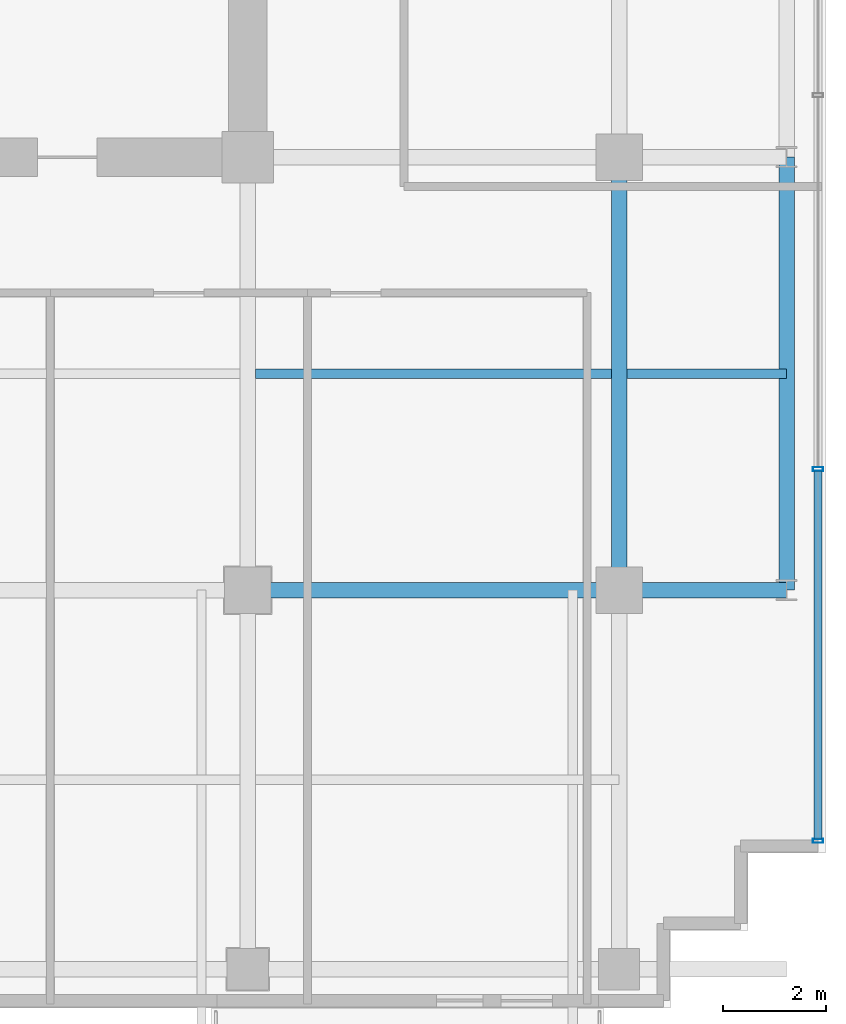
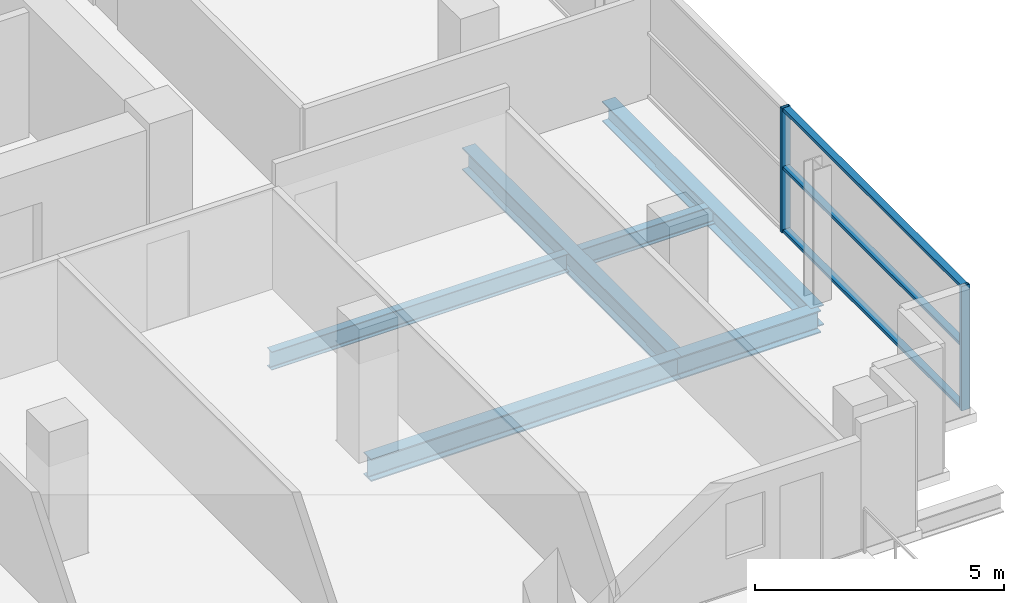
# One storey, part 12 of 28: 6 beams, 5 members, 1 element without a shape of its own.
"""IFC4 building model written with IfcOpenShell, lengths in metres."""

import ifcopenshell
import ifcopenshell.guid

model = None  # the IFC model being written
_history = None  # IfcOwnerHistory: only IFC2X3 demands one
_inside = {}  # id of a spatial element -> (the spatial element, [elements in it])
_under = {}  # id of a project, library or spatial element -> (it, [spatial elements below it])
_declared = {}  # id of a project -> (the project, [libraries it declares])
_typed = {}  # id of a type object -> (the type object, [elements of that type])
_made_of = {}  # id of a material, layer set ... -> (it, [elements and type objects made of it])


def new_model(schema):
    """Start an empty IFC model of exactly this schema.

    Asked for "IFC4X3", IfcOpenShell would pick the latest addendum, in which some entities
    have other attributes; the version numbers below select the first issue.
    IFC2X3 requires an IfcOwnerHistory on every rooted entity: one is made here for all.
    """
    global model, _history
    if schema == "IFC4X3":
        model = ifcopenshell.file(schema_version=(4, 3, 0, 0))
    else:
        model = ifcopenshell.file(schema=schema)
    _inside.clear()
    _under.clear()
    _declared.clear()
    _typed.clear()
    _made_of.clear()
    _history = None
    if model.schema == "IFC2X3":
        org = make("IfcOrganization", Name="unknown")
        user = make(
            "IfcPersonAndOrganization",
            ThePerson=make("IfcPerson", FamilyName="unknown"),
            TheOrganization=org,
        )
        app = make(
            "IfcApplication",
            ApplicationDeveloper=org,
            Version="unknown",
            ApplicationFullName="unknown",
            ApplicationIdentifier="unknown",
        )
        _history = make(
            "IfcOwnerHistory",
            OwningUser=user,
            OwningApplication=app,
            ChangeAction="ADDED",
            CreationDate=0,
        )
    return model


def make(cls, **values):
    """One entity of the class cls with the attributes given. An attribute that is None is left unset."""
    return model.create_entity(
        cls, **{name: value for name, value in values.items() if value is not None}
    )


def rooted(cls, **values):
    """An entity with a GlobalId (a new one), such as an element, a storey or a relation."""
    return make(cls, GlobalId=ifcopenshell.guid.new(), OwnerHistory=_history, **values)


def si_unit(unit_type, name, prefix=None):
    """IfcSIUnit, for example si_unit("LENGTHUNIT", "METRE", prefix="MILLI")."""
    return make("IfcSIUnit", UnitType=unit_type, Prefix=prefix, Name=name)


def assignment(units):
    """IfcUnitAssignment: the units of a project."""
    return None if units is None else make("IfcUnitAssignment", Units=units)


def point(xyz):
    """IfcCartesianPoint."""
    return None if xyz is None else make("IfcCartesianPoint", Coordinates=xyz)


def direction(xyz):
    """IfcDirection."""
    return None if xyz is None else make("IfcDirection", DirectionRatios=xyz)


def frame(location, z_axis=None, x_axis=None):
    """IfcAxis2Placement3D, a coordinate frame: its origin and axes. An axis left out is left unset."""
    return make(
        "IfcAxis2Placement3D",
        Location=point(location),
        Axis=direction(z_axis),
        RefDirection=direction(x_axis),
    )


def frame_2d(location, x_axis=None):
    """IfcAxis2Placement2D, a coordinate frame in the plane: its origin and x axis."""
    return make(
        "IfcAxis2Placement2D", Location=point(location), RefDirection=direction(x_axis)
    )


def origin():
    """The frame at (0, 0, 0) with its axes left unset."""
    return frame((0.0, 0.0, 0.0))


def origin_2d():
    """The frame at (0, 0) in the plane with its x axis left unset."""
    return frame_2d((0.0, 0.0))


def place(relative_to, where):
    """IfcLocalPlacement: puts the frame where relative to a parent placement (None: the world)."""
    return make(
        "IfcLocalPlacement", PlacementRelTo=relative_to, RelativePlacement=where
    )


def context(
    kind, dimensions, precision=None, world=None, true_north=None, identifier=None
):
    """IfcGeometricRepresentationContext, for example the 3D "Model" context."""
    return make(
        "IfcGeometricRepresentationContext",
        ContextIdentifier=identifier,
        ContextType=kind,
        CoordinateSpaceDimension=dimensions,
        Precision=precision,
        WorldCoordinateSystem=world,
        TrueNorth=true_north,
    )


def subcontext(parent, identifier, kind, view, scale=None):
    """IfcGeometricRepresentationSubContext, for example "Body" below "Model"."""
    return make(
        "IfcGeometricRepresentationSubContext",
        ContextIdentifier=identifier,
        ContextType=kind,
        ParentContext=parent,
        TargetScale=scale,
        TargetView=view,
    )


def project(units=None, contexts=None):
    """IfcProject with its units and contexts."""
    return rooted(
        "IfcProject",
        Name="project",
        RepresentationContexts=contexts,
        UnitsInContext=assignment(units),
    )


def spatial(cls, under=None, at=None, **own):
    """A site, building, storey or space (cls), placed at a placement, below another one or the project."""
    s = rooted(cls, ObjectPlacement=at, **own)
    if under is not None:
        _under.setdefault(under.id(), (under, []))[1].append(s)
    return s


def profile(cls, at=None, kind="AREA", **sizes):
    """A parametric profile (cls). Its sizes go by their IFC names, for example OverallWidth=200.0."""
    return make(cls, ProfileType=kind, Position=at, **sizes)


def hollow_rectangle(**sizes):
    """IfcRectangleHollowProfileDef."""
    return profile("IfcRectangleHollowProfileDef", **sizes)


def i_section(**sizes):
    """IfcIShapeProfileDef."""
    return profile("IfcIShapeProfileDef", **sizes)


def extrude(swept, where, along, depth):
    """IfcExtrudedAreaSolid: the profile swept, set in the frame where, extruded along a direction by depth."""
    return make(
        "IfcExtrudedAreaSolid",
        SweptArea=swept,
        Position=where,
        ExtrudedDirection=direction(along),
        Depth=depth,
    )


def shape(context_of_items, identifier, shape_type, items):
    """IfcShapeRepresentation: the items that make up one representation, for example the "Body"."""
    return make(
        "IfcShapeRepresentation",
        ContextOfItems=context_of_items,
        RepresentationIdentifier=identifier,
        RepresentationType=shape_type,
        Items=items,
    )


def source(mapping_origin, context_of_items, identifier, shape_type, items):
    """IfcRepresentationMap: a shape defined once, which mapped items show again and again."""
    return make(
        "IfcRepresentationMap",
        MappingOrigin=mapping_origin,
        MappedRepresentation=shape(context_of_items, identifier, shape_type, items),
    )


def transform(
    local_origin,
    x_axis=None,
    y_axis=None,
    z_axis=None,
    scale=None,
    scale2=None,
    scale3=None,
    uniform=True,
):
    """IfcCartesianTransformationOperator3D, or its non-uniform kind. x_axis, y_axis, z_axis: its Axis1, 2, 3."""
    if uniform:
        return make(
            "IfcCartesianTransformationOperator3D",
            Axis1=direction(x_axis),
            Axis2=direction(y_axis),
            LocalOrigin=point(local_origin),
            Scale=scale,
            Axis3=direction(z_axis),
        )
    return make(
        "IfcCartesianTransformationOperator3DnonUniform",
        Axis1=direction(x_axis),
        Axis2=direction(y_axis),
        LocalOrigin=point(local_origin),
        Scale=scale,
        Axis3=direction(z_axis),
        Scale2=scale2,
        Scale3=scale3,
    )


def mapped(mapping_source, mapping_target):
    """IfcMappedItem: shows the shape of a source again, moved by a transform."""
    return make(
        "IfcMappedItem", MappingSource=mapping_source, MappingTarget=mapping_target
    )


def material(Name=None, Category=None):
    """IfcMaterial."""
    return make("IfcMaterial", Name=Name, Category=Category)


def layer(
    of_material, thickness, ventilated=None, Name=None, Category=None, Priority=None
):
    """IfcMaterialLayer: one layer of a wall or slab, of a material (None: an air gap)."""
    return make(
        "IfcMaterialLayer",
        Material=of_material,
        LayerThickness=thickness,
        IsVentilated=ventilated,
        Name=Name,
        Category=Category,
        Priority=Priority,
    )


def layer_set(layers, Name=None):
    """IfcMaterialLayerSet."""
    return make("IfcMaterialLayerSet", MaterialLayers=layers, LayerSetName=Name)


def material_profile(
    of_material, cross_section, Name=None, Category=None, Priority=None
):
    """IfcMaterialProfile: a cross section and its material."""
    return make(
        "IfcMaterialProfile",
        Name=Name,
        Material=of_material,
        Profile=cross_section,
        Priority=Priority,
        Category=Category,
    )


def profile_set(profiles, Name=None, composite=None):
    """IfcMaterialProfileSet."""
    return make(
        "IfcMaterialProfileSet",
        Name=Name,
        MaterialProfiles=profiles,
        CompositeProfile=composite,
    )


def made_of(thing, what):
    """Note that an element or type object is made of a material, layer set ...; save() writes the relation."""
    if what is not None:
        _made_of.setdefault(what.id(), (what, []))[1].append(thing)
    return thing


def type_object(cls, material=None, **own):
    """A type object (cls), such as IfcWallType, which elements share."""
    return made_of(rooted(cls, **own), material)


def element(
    cls,
    number,
    at=None,
    inside=None,
    cuts=None,
    type_object=None,
    material=None,
    context=None,
    identifier="Body",
    shape_type=None,
    held_by="IfcProductDefinitionShape",
    body=None,
    shapes=None,
    **own,
):
    """One element of the class cls, such as IfcWall. Its Tag is "e" and its number.

    at: its placement. inside: the storey or other place that contains it. cuts: it is an
    opening in that element (IfcRelVoidsElement). A single representation is given by context,
    identifier, shape_type and body (its items); several are given by shapes. held_by: the class
    of the entity that holds the representations. save() writes the other relations.
    """
    e = rooted(cls, Tag="e%d" % number, ObjectPlacement=at, **own)
    if body is not None:
        shapes = [shape(context, identifier, shape_type, body)]
    if shapes is not None:
        e.Representation = make(held_by, Representations=shapes)
    if inside is not None:
        _inside.setdefault(inside.id(), (inside, []))[1].append(e)
    if cuts is not None:
        rooted(
            "IfcRelVoidsElement", RelatingBuildingElement=cuts, RelatedOpeningElement=e
        )
    if type_object is not None:
        _typed.setdefault(type_object.id(), (type_object, []))[1].append(e)
    return made_of(e, material)


def aggregate(whole, parts):
    """IfcRelAggregates: a whole, such as a stair, and the parts it consists of."""
    return rooted("IfcRelAggregates", RelatingObject=whole, RelatedObjects=parts)


def save(model, path):
    """Write the relations noted so far, then the file.

    IfcRelAggregates (storeys below a building ...), IfcRelContainedInSpatialStructure (elements
    in a storey), IfcRelDefinesByType, IfcRelAssociatesMaterial and IfcRelDeclares: one each for
    every whole, place, type object, material and project.
    """
    for whole, parts in _under.values():
        aggregate(whole, parts)
    for where, things in _inside.values():
        rooted(
            "IfcRelContainedInSpatialStructure",
            RelatedElements=things,
            RelatingStructure=where,
        )
    for kind, things in _typed.values():
        rooted("IfcRelDefinesByType", RelatedObjects=things, RelatingType=kind)
    for what, things in _made_of.values():
        rooted("IfcRelAssociatesMaterial", RelatedObjects=things, RelatingMaterial=what)
    for by, libraries in _declared.values():
        rooted("IfcRelDeclares", RelatingContext=by, RelatedDefinitions=libraries)
    model.write(path)


model = new_model("IFC4")

# Units and contexts
model_context = context("Model", 3, precision=1e-05, world=origin(), true_north=direction((0.0, 1.0)))
body_context = subcontext(model_context, "Body", "Model", "MODEL_VIEW")
ifc_project = project(units=[si_unit("LENGTHUNIT", "METRE"), si_unit("AREAUNIT", "SQUARE_METRE"), si_unit("VOLUMEUNIT", "CUBIC_METRE"), si_unit("PLANEANGLEUNIT", "RADIAN"), si_unit("MASSUNIT", "GRAM", prefix="KILO")], contexts=[model_context])

# Site, building, storey
site_placement = place(None, origin())
site = spatial("IfcSite", under=ifc_project, at=site_placement, CompositionType="ELEMENT")
building_placement = place(site_placement, origin())
building = spatial("IfcBuilding", under=site, at=building_placement, Name="Zarnakvel Exchange Tower", CompositionType="ELEMENT")
storey_placement = place(building_placement, frame((0.0, 0.0, 109.89990234375)))
storey = spatial("IfcBuildingStorey", under=building, at=storey_placement, Name="L30", CompositionType="ELEMENT", Elevation=109.89990234375)

# Beams
ifc_material_1 = material(Name="Steel S355", Category="steel")
ifc_material_profile_1 = material_profile(ifc_material_1, i_section(OverallWidth=0.18994140625, OverallDepth=0.449951171875, WebThickness=0.009521484375, FlangeThickness=0.0146484375, FilletRadius=0.02099609375, at=origin_2d()))
ifc_profile_set_1 = profile_set([ifc_material_profile_1], Name="Steel S355")
beam_type_1 = type_object("IfcBeamType", Name="B-05", PredefinedType="JOIST", material=ifc_profile_set_1)
beam_1_placement = place(storey_placement, frame((14.550048828125, -5.39990234375, -0.449951171875), z_axis=(1.0, 0.0, 0.0), x_axis=(0.0, 1.0, 0.0)))
element("IfcBeam", 1, at=beam_1_placement, inside=storey, type_object=beam_type_1, Name="L30 Composite Floor Secondary Joist", PredefinedType="JOIST", context=body_context, shape_type="SweptSolid", body=[
    extrude(i_section(OverallWidth=0.18994140625, OverallDepth=0.449951171875, WebThickness=0.009521484375, FlangeThickness=0.0146484375, FilletRadius=0.02099609375, at=origin_2d()), origin(), (0.0, 0.0, 1.0), 6.89990234375),
])
beam_2_placement = place(storey_placement, frame((21.75, -5.39990234375, -0.449951171875), z_axis=(1.0, 0.0, 0.0), x_axis=(0.0, 1.0, 0.0)))
element("IfcBeam", 2, at=beam_2_placement, inside=storey, type_object=beam_type_1, Name="L30 Composite Floor Secondary Joist", PredefinedType="JOIST", context=body_context, shape_type="SweptSolid", body=[
    extrude(i_section(OverallWidth=0.18994140625, OverallDepth=0.449951171875, WebThickness=0.009521484375, FlangeThickness=0.0146484375, FilletRadius=0.02099609375, at=origin_2d()), origin(), (0.0, 0.0, 1.0), 3.10009765625),
])
ifc_material_profile_2 = material_profile(ifc_material_1, i_section(OverallWidth=0.300048828125, OverallDepth=0.550048828125, WebThickness=0.014892578125, FlangeThickness=0.029052734375, FilletRadius=0.027099609375, at=origin_2d()))
ifc_profile_set_2 = profile_set([ifc_material_profile_2], Name="Steel S355")
beam_type_2 = type_object("IfcBeamType", Name="G-05", PredefinedType="BEAM", material=ifc_profile_set_2)
beam_3_placement = place(storey_placement, frame((14.39990234375, -9.60009765625, -0.5), z_axis=(1.0, 0.0, 0.0), x_axis=(0.0, 1.0, 0.0)))
element("IfcBeam", 3, at=beam_3_placement, inside=storey, type_object=beam_type_2, Name="L30 Tower E-W Frame Beam", PredefinedType="BEAM", context=body_context, shape_type="SweptSolid", body=[
    extrude(i_section(OverallWidth=0.300048828125, OverallDepth=0.550048828125, WebThickness=0.014892578125, FlangeThickness=0.029052734375, FilletRadius=0.027099609375, at=origin_2d()), origin(), (0.0, 0.0, 1.0), 7.2001953125),
])
beam_4_placement = place(storey_placement, frame((21.60009765625, -9.60009765625, -0.5), z_axis=(1.0, 0.0, 0.0), x_axis=(0.0, 1.0, 0.0)))
element("IfcBeam", 4, at=beam_4_placement, inside=storey, type_object=beam_type_2, Name="L30 Tower E-W Frame Beam", PredefinedType="BEAM", context=body_context, shape_type="SweptSolid", body=[
    extrude(i_section(OverallWidth=0.300048828125, OverallDepth=0.550048828125, WebThickness=0.014892578125, FlangeThickness=0.029052734375, FilletRadius=0.027099609375, at=origin_2d()), origin(), (0.0, 0.0, 1.0), 3.25),
])
beam_5_placement = place(storey_placement, frame((21.60009765625, -9.60009765625, -0.5), z_axis=(0.0, 1.0, 0.0), x_axis=(-1.0, 0.0, 0.0)))
element("IfcBeam", 5, at=beam_5_placement, inside=storey, type_object=beam_type_2, Name="L30 Tower N-S Frame Beam", PredefinedType="BEAM", context=body_context, shape_type="SweptSolid", body=[
    extrude(i_section(OverallWidth=0.300048828125, OverallDepth=0.550048828125, WebThickness=0.014892578125, FlangeThickness=0.029052734375, FilletRadius=0.027099609375, at=origin_2d()), origin(), (0.0, 0.0, 1.0), 8.400146484375),
])
ifc_material_profile_3 = material_profile(ifc_material_1, i_section(OverallWidth=0.300048828125, OverallDepth=0.5, WebThickness=0.014404296875, FlangeThickness=0.028076171875, FilletRadius=0.027099609375, at=origin_2d()))
ifc_profile_set_3 = profile_set([ifc_material_profile_3], Name="Steel S355")
beam_type_3 = type_object("IfcBeamType", Name="SP-02", PredefinedType="SPANDREL", material=ifc_profile_set_3)
beam_6_placement = place(storey_placement, frame((24.85009765625, -9.60009765625, -0.474853515625), z_axis=(0.0, 1.0, 0.0), x_axis=(-1.0, 0.0, 0.0)))
element("IfcBeam", 6, at=beam_6_placement, inside=storey, type_object=beam_type_3, Name="L30 Tower N-S Frame Beam", PredefinedType="SPANDREL", context=body_context, shape_type="SweptSolid", body=[
    extrude(i_section(OverallWidth=0.300048828125, OverallDepth=0.5, WebThickness=0.014404296875, FlangeThickness=0.028076171875, FilletRadius=0.027099609375, at=origin_2d()), origin(), (0.0, 0.0, 1.0), 8.400146484375),
])

# Curtain wall, members
ifc_material_2 = material(Name="Architectural Bronze Anodised Aluminium", Category="aluminium")
ifc_layer = layer(ifc_material_2, 0.199951171875)
ifc_layer_set = layer_set([ifc_layer], Name="Architectural Bronze Anodised Aluminium")
curtain_wall_type = type_object("IfcCurtainWallType", Name="CW-04", PredefinedType="NOTDEFINED", material=ifc_layer_set)
curtain_wall_placement = place(storey_placement, origin())
curtain_wall = element("IfcCurtainWall", 7, at=curtain_wall_placement, inside=storey, type_object=curtain_wall_type, Name="L30 Curtain Wall CW-L30-E1 (CW-04)", PredefinedType="NOTDEFINED")
ifc_material_profile_4 = material_profile(ifc_material_2, hollow_rectangle(XDim=0.199951171875, YDim=0.074951171875, WallThickness=0.0048828125, at=origin_2d()))
ifc_profile_set_4 = profile_set([ifc_material_profile_4], Name="Architectural Bronze Anodised Aluminium")
member_type_1 = type_object("IfcMemberType", Name="CWM-04", PredefinedType="MULLION", material=ifc_profile_set_4)
shared_shape_1 = source(origin(), body_context, "Body", "SweptSolid", [
    extrude(hollow_rectangle(XDim=0.199951171875, YDim=0.074951171875, WallThickness=0.0048828125, at=origin_2d()), origin(), (0.0, 0.0, 1.0), 3.05517578125),
])
member_1_placement = place(storey_placement, frame((25.4599609375, -14.46240234375, 0.0), z_axis=(0.0, 0.0, 1.0), x_axis=(-1.0, 0.0, 0.0)))
member_1 = element("IfcMember", 8, at=member_1_placement, type_object=member_type_1, Name="CW-04 mullion 1", PredefinedType="MULLION", context=body_context, shape_type="MappedRepresentation", body=[
    mapped(shared_shape_1, transform((0.0, 0.0, 0.0), x_axis=(1.0, 0.0, 0.0), y_axis=(0.0, 1.0, 0.0), z_axis=(0.0, 0.0, 1.0), scale=1.0)),
])
member_2_placement = place(storey_placement, frame((25.4599609375, -7.25, 0.0), z_axis=(0.0, 0.0, 1.0), x_axis=(-1.0, 0.0, 0.0)))
member_2 = element("IfcMember", 9, at=member_2_placement, type_object=member_type_1, Name="CW-04 mullion 2", PredefinedType="MULLION", context=body_context, shape_type="MappedRepresentation", body=[
    mapped(shared_shape_1, transform((0.0, 0.0, 0.0), x_axis=(1.0, 0.0, 0.0), y_axis=(0.0, 1.0, 0.0), z_axis=(0.0, 0.0, 1.0), scale=1.0)),
])
ifc_material_profile_5 = material_profile(ifc_material_2, hollow_rectangle(XDim=0.159912109375, YDim=0.074951171875, WallThickness=0.00390625, at=origin_2d()))
ifc_profile_set_5 = profile_set([ifc_material_profile_5], Name="Architectural Bronze Anodised Aluminium")
member_type_2 = type_object("IfcMemberType", Name="CWT-04", PredefinedType="USERDEFINED", material=ifc_profile_set_5)
shared_shape_2 = source(origin(), body_context, "Body", "SweptSolid", [
    extrude(hollow_rectangle(XDim=0.159912109375, YDim=0.074951171875, WallThickness=0.00390625, at=origin_2d()), origin(), (0.0, 0.0, 1.0), 7.137451171875),
])
member_3_placement = place(storey_placement, frame((25.4599609375, -14.425048828125, 0.03759765625), z_axis=(0.0, 1.0, 0.0), x_axis=(-1.0, 0.0, 0.0)))
member_3 = element("IfcMember", 10, at=member_3_placement, type_object=member_type_2, Name="CW-04 transom 1.1", ObjectType="TRANSOM", PredefinedType="USERDEFINED", context=body_context, shape_type="MappedRepresentation", body=[
    mapped(shared_shape_2, transform((0.0, 0.0, 0.0), x_axis=(1.0, 0.0, 0.0), y_axis=(0.0, 1.0, 0.0), z_axis=(0.0, 0.0, 1.0), scale=1.0)),
])
member_4_placement = place(storey_placement, frame((25.4599609375, -14.425048828125, 1.588623046875), z_axis=(0.0, 1.0, 0.0), x_axis=(-1.0, 0.0, 0.0)))
member_4 = element("IfcMember", 11, at=member_4_placement, type_object=member_type_2, Name="CW-04 transom 1.2", ObjectType="TRANSOM", PredefinedType="USERDEFINED", context=body_context, shape_type="MappedRepresentation", body=[
    mapped(shared_shape_2, transform((0.0, 0.0, 0.0), x_axis=(1.0, 0.0, 0.0), y_axis=(0.0, 1.0, 0.0), z_axis=(0.0, 0.0, 1.0), scale=1.0)),
])
member_5_placement = place(storey_placement, frame((25.4599609375, -14.425048828125, 3.017578125), z_axis=(0.0, 1.0, 0.0), x_axis=(-1.0, 0.0, 0.0)))
member_5 = element("IfcMember", 12, at=member_5_placement, type_object=member_type_2, Name="CW-04 transom 1.3", ObjectType="TRANSOM", PredefinedType="USERDEFINED", context=body_context, shape_type="MappedRepresentation", body=[
    mapped(shared_shape_2, transform((0.0, 0.0, 0.0), x_axis=(1.0, 0.0, 0.0), y_axis=(0.0, 1.0, 0.0), z_axis=(0.0, 0.0, 1.0), scale=1.0)),
])
aggregate(curtain_wall, [member_1, member_2, member_3, member_4, member_5])

save(model, "model.ifc")
